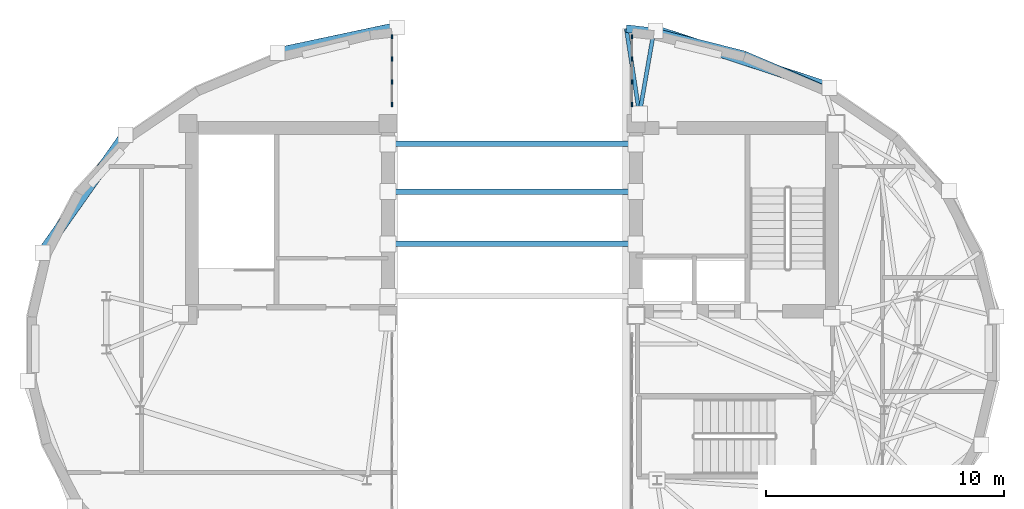
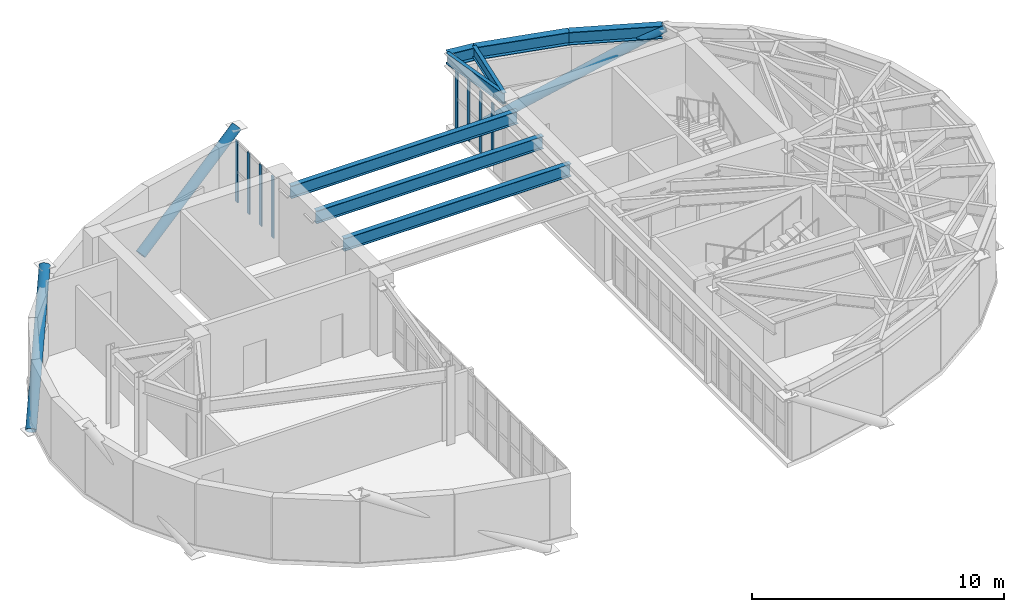
# One storey, part 4 of 13: 11 members, 8 beams, 2 elements without a shape of their own.
"""IFC4 building model written with IfcOpenShell, lengths in metres."""

from ifc_helpers import new_model, si_unit, direction, frame, origin, origin_2d, place, context, subcontext, project, spatial, rectangle, hollow_circle, i_section, extrude, material, layer, layer_set, material_profile, profile_set, type_object, element, aggregate, save


model = new_model("IFC4")

# Units and contexts
model_context = context("Model", 3, precision=1e-05, world=origin(), true_north=direction((0.0, 1.0)))
body_context = subcontext(model_context, "Body", "Model", "MODEL_VIEW")
ifc_project = project(units=[si_unit("LENGTHUNIT", "METRE"), si_unit("AREAUNIT", "SQUARE_METRE"), si_unit("VOLUMEUNIT", "CUBIC_METRE"), si_unit("PLANEANGLEUNIT", "RADIAN"), si_unit("MASSUNIT", "GRAM", prefix="KILO")], contexts=[model_context])

# Site, building, storey
site_placement = place(None, origin())
site = spatial("IfcSite", under=ifc_project, at=site_placement, CompositionType="ELEMENT")
building_placement = place(site_placement, origin())
building = spatial("IfcBuilding", under=site, at=building_placement, Name="Keldmark Tower", CompositionType="ELEMENT")
storey_placement = place(building_placement, frame((0.0, 0.0, 280.60009765625)))
storey = spatial("IfcBuildingStorey", under=building, at=storey_placement, Name="L79", CompositionType="ELEMENT", Elevation=280.60009765625)

# Members
ifc_material_1 = material(Name="Steel ASTM A572 Grade 50", Category="steel")
ifc_material_profile_1 = material_profile(ifc_material_1, hollow_circle(Radius=0.22509765625, WallThickness=0.02197265625, at=origin_2d()), Name="CHS450X22")
ifc_profile_set_1 = profile_set([ifc_material_profile_1], Name="Steel ASTM A572 Grade 50")
member_type_1 = type_object("IfcMemberType", Name="Crown Frame Brace CHS450X22", PredefinedType="USERDEFINED", material=ifc_profile_set_1)
member_1_placement = place(storey_placement, frame((6.023681640625, 13.351318359375, -0.4501953125), z_axis=(0.851851250396, -0.279319759019, 0.443091321762), x_axis=(0.311575111015, 0.950221526906, 0.0)))
element("IfcMember", 1, at=member_1_placement, inside=storey, type_object=member_type_1, Name="L79 Crown Frame Diagonal E00", ObjectType="CROWN FRAME", PredefinedType="USERDEFINED", context=body_context, shape_type="SweptSolid", body=[
    extrude(hollow_circle(Radius=0.22509765625, WallThickness=0.02197265625, at=origin_2d()), origin(), (0.0, 0.0, 1.0), 8.576171875),
])
member_2_placement = place(storey_placement, frame((-19.7099609375, 4.032958984375, -0.4501953125), z_axis=(0.487772662489, 0.692451388598, 0.531590918053), x_axis=(-0.817532912792, 0.575881877213, 0.0)))
element("IfcMember", 2, at=member_2_placement, inside=storey, type_object=member_type_1, Name="L79 Crown Frame Diagonal W08", ObjectType="CROWN FRAME", PredefinedType="USERDEFINED", context=body_context, shape_type="SweptSolid", body=[
    extrude(hollow_circle(Radius=0.22509765625, WallThickness=0.02197265625, at=origin_2d()), origin(), (0.0, 0.0, 1.0), 7.1484375),
])
member_3_placement = place(storey_placement, frame((-9.84619140625, 12.416015625, -0.4501953125), z_axis=(0.785744947887, 0.167021022524, 0.59557439074), x_axis=(-0.207918572776, 0.978146137903, 0.0)))
element("IfcMember", 3, at=member_3_placement, inside=storey, type_object=member_type_1, Name="L79 Crown Frame Diagonal W12", ObjectType="CROWN FRAME", PredefinedType="USERDEFINED", context=body_context, shape_type="SweptSolid", body=[
    extrude(hollow_circle(Radius=0.22509765625, WallThickness=0.02197265625, at=origin_2d()), origin(), (0.0, 0.0, 1.0), 6.38037109375),
])

# Curtain wall, members
ifc_material_2 = material(Name="Unitized Thermally Broken Aluminum and Triple Low-E Glazing", Category="aluminium")
ifc_layer = layer(ifc_material_2, 0.219970703125)
ifc_layer_set = layer_set([ifc_layer], Name="Unitized Thermally Broken Aluminum and Triple Low-E Glazing")
curtain_wall_type = type_object("IfcCurtainWallType", Name="Split-Top Crown Lantern Curtain Wall System", PredefinedType="NOTDEFINED", material=ifc_layer_set)
curtain_wall_1_placement = place(storey_placement, origin())
curtain_wall_1 = element("IfcCurtainWall", 4, at=curtain_wall_1_placement, inside=storey, type_object=curtain_wall_type, Name="L79 Split-Top Crown Lantern Curtain Wall System CW-L79-ES14-0", PredefinedType="NOTDEFINED")
ifc_material_3 = material(Name="Extruded Aluminum Alloy 6063-T6", Category="aluminium")
ifc_material_profile_2 = material_profile(ifc_material_3, rectangle(XDim=0.06005859375, YDim=0.179931640625, at=origin_2d()), Name="CWM60X180")
ifc_profile_set_2 = profile_set([ifc_material_profile_2], Name="Extruded Aluminum Alloy 6063-T6")
member_type_2 = type_object("IfcMemberType", Name="Curtain Wall Structural Mullion 60x180", PredefinedType="MULLION", material=ifc_profile_set_2)
member_4_placement = place(storey_placement, frame((5.0400390625, 13.0947265625, 0.0), z_axis=(0.0, 0.0, 1.0), x_axis=(1.0, 0.0, 0.0)))
member_4 = element("IfcMember", 5, at=member_4_placement, type_object=member_type_2, Name="CW mullion 1", PredefinedType="MULLION", context=body_context, shape_type="SweptSolid", body=[
    extrude(rectangle(XDim=0.06005859375, YDim=0.179931640625, at=origin_2d()), origin(), (0.0, 0.0, 1.0), 2.9658203125),
])
member_5_placement = place(storey_placement, frame((5.0400390625, 12.159423828125, 0.0), z_axis=(0.0, 0.0, 1.0), x_axis=(1.0, 0.0, 0.0)))
member_5 = element("IfcMember", 6, at=member_5_placement, type_object=member_type_2, Name="CW mullion 2", PredefinedType="MULLION", context=body_context, shape_type="SweptSolid", body=[
    extrude(rectangle(XDim=0.06005859375, YDim=0.179931640625, at=origin_2d()), origin(), (0.0, 0.0, 1.0), 2.9658203125),
])
member_6_placement = place(storey_placement, frame((5.0400390625, 11.19384765625, 0.0), z_axis=(0.0, 0.0, 1.0), x_axis=(1.0, 0.0, 0.0)))
member_6 = element("IfcMember", 7, at=member_6_placement, type_object=member_type_2, Name="CW mullion 3", PredefinedType="MULLION", context=body_context, shape_type="SweptSolid", body=[
    extrude(rectangle(XDim=0.06005859375, YDim=0.179931640625, at=origin_2d()), origin(), (0.0, 0.0, 1.0), 2.9658203125),
])
member_7_placement = place(storey_placement, frame((5.0400390625, 10.258544921875, 0.0), z_axis=(0.0, 0.0, 1.0), x_axis=(1.0, 0.0, 0.0)))
member_7 = element("IfcMember", 8, at=member_7_placement, type_object=member_type_2, Name="CW mullion 4", PredefinedType="MULLION", context=body_context, shape_type="SweptSolid", body=[
    extrude(rectangle(XDim=0.06005859375, YDim=0.179931640625, at=origin_2d()), origin(), (0.0, 0.0, 1.0), 2.9658203125),
])
aggregate(curtain_wall_1, [member_4, member_5, member_6, member_7])

curtain_wall_2_placement = place(storey_placement, origin())
curtain_wall_2 = element("IfcCurtainWall", 9, at=curtain_wall_2_placement, inside=storey, type_object=curtain_wall_type, Name="L79 Split-Top Crown Lantern Curtain Wall System CW-L79-WS14-1", PredefinedType="NOTDEFINED")
member_8_placement = place(storey_placement, frame((-5.0400390625, 10.258544921875, 0.0), z_axis=(0.0, 0.0, 1.0), x_axis=(-1.0, 0.0, 0.0)))
member_8 = element("IfcMember", 10, at=member_8_placement, type_object=member_type_2, Name="CW mullion 1", PredefinedType="MULLION", context=body_context, shape_type="SweptSolid", body=[
    extrude(rectangle(XDim=0.06005859375, YDim=0.179931640625, at=origin_2d()), origin(), (0.0, 0.0, 1.0), 2.9658203125),
])
member_9_placement = place(storey_placement, frame((-5.0400390625, 11.19384765625, 0.0), z_axis=(0.0, 0.0, 1.0), x_axis=(-1.0, 0.0, 0.0)))
member_9 = element("IfcMember", 11, at=member_9_placement, type_object=member_type_2, Name="CW mullion 2", PredefinedType="MULLION", context=body_context, shape_type="SweptSolid", body=[
    extrude(rectangle(XDim=0.06005859375, YDim=0.179931640625, at=origin_2d()), origin(), (0.0, 0.0, 1.0), 2.9658203125),
])
member_10_placement = place(storey_placement, frame((-5.0400390625, 12.159423828125, 0.0), z_axis=(0.0, 0.0, 1.0), x_axis=(-1.0, 0.0, 0.0)))
member_10 = element("IfcMember", 12, at=member_10_placement, type_object=member_type_2, Name="CW mullion 3", PredefinedType="MULLION", context=body_context, shape_type="SweptSolid", body=[
    extrude(rectangle(XDim=0.06005859375, YDim=0.179931640625, at=origin_2d()), origin(), (0.0, 0.0, 1.0), 2.9658203125),
])
member_11_placement = place(storey_placement, frame((-5.0400390625, 13.0947265625, 0.0), z_axis=(0.0, 0.0, 1.0), x_axis=(-1.0, 0.0, 0.0)))
member_11 = element("IfcMember", 13, at=member_11_placement, type_object=member_type_2, Name="CW mullion 4", PredefinedType="MULLION", context=body_context, shape_type="SweptSolid", body=[
    extrude(rectangle(XDim=0.06005859375, YDim=0.179931640625, at=origin_2d()), origin(), (0.0, 0.0, 1.0), 2.9658203125),
])
aggregate(curtain_wall_2, [member_8, member_9, member_10, member_11])

# Beams
ifc_material_4 = material(Name="Steel ASTM A992 Grade 50", Category="steel")
ifc_material_profile_3 = material_profile(ifc_material_4, i_section(OverallWidth=0.22900390625, OverallDepth=0.612060546875, WebThickness=0.011962890625, FlangeThickness=0.01953125, at=origin_2d()), Name="W24X84")
ifc_profile_set_3 = profile_set([ifc_material_profile_3], Name="Steel ASTM A992 Grade 50")
beam_type_1 = type_object("IfcBeamType", Name="Primary Floor Girder W24X84", PredefinedType="BEAM", material=ifc_profile_set_3)
for number, where, z_axis, x_axis, name in (
    (14, (-5.199951171875, 4.39990234375, 3.2939453125), (1.0, 0.0, 0.0), (0.0, 1.0, 0.0), "L79 Sky-Slot Roof Support Girder SLTB-02"),
    (15, (-5.199951171875, 6.60009765625, 3.2939453125), (1.0, 0.0, 0.0), (0.0, 1.0, 0.0), "L79 Sky-Slot Roof Support Girder SLTB-03"),
    (16, (-5.199951171875, 8.60009765625, 3.2939453125), (1.0, 0.0, 0.0), (0.0, 1.0, 0.0), "L79 Sky-Slot Roof Support Girder SLTB-04"),
):
    element("IfcBeam", number, at=place(storey_placement, frame(where, z_axis=z_axis, x_axis=x_axis)), inside=storey, type_object=beam_type_1, Name=name, PredefinedType="BEAM", context=body_context, shape_type="SweptSolid", body=[
        extrude(i_section(OverallWidth=0.22900390625, OverallDepth=0.612060546875, WebThickness=0.011962890625, FlangeThickness=0.01953125, at=origin_2d()), origin(), (0.0, 0.0, 1.0), 10.39990234375),
    ])
ifc_material_5 = material(Name="Steel ASTM A992 Grade 50", Category="steel")
ifc_material_profile_4 = material_profile(ifc_material_5, i_section(OverallWidth=0.166015625, OverallDepth=0.529052734375, WebThickness=0.009765625, FlangeThickness=0.013671875, at=origin_2d()), Name="W21X50")
ifc_profile_set_4 = profile_set([ifc_material_profile_4], Name="Steel ASTM A992 Grade 50")
beam_type_2 = type_object("IfcBeamType", Name="Radial Tie Girder W21X50", PredefinedType="BEAM", material=ifc_profile_set_4)
beam_1_placement = place(storey_placement, frame((5.35009765625, 9.85009765625, 3.33544921875), z_axis=(0.171235420853, 0.985230140955, 0.0), x_axis=(-0.985230140955, 0.171235420853, 0.0)))
element("IfcBeam", 17, at=beam_1_placement, inside=storey, type_object=beam_type_2, Name="L79 East Crown Shear-Wall Bracket CRT-E01G", PredefinedType="BEAM", context=body_context, shape_type="SweptSolid", body=[
    extrude(i_section(OverallWidth=0.166015625, OverallDepth=0.529052734375, WebThickness=0.009765625, FlangeThickness=0.013671875, at=origin_2d()), origin(), (0.0, 0.0, 1.0), 3.50732421875),
])
beam_2_placement = place(storey_placement, frame((5.35009765625, 9.85009765625, 3.33544921875), z_axis=(-0.151466089222, 0.988462454429, 0.0), x_axis=(-0.988462454429, -0.151466089222, 0.0)))
element("IfcBeam", 18, at=beam_2_placement, inside=storey, type_object=beam_type_2, Name="L79 East Crown Shear-Wall Bracket CRT-E16G", PredefinedType="BEAM", context=body_context, shape_type="SweptSolid", body=[
    extrude(i_section(OverallWidth=0.166015625, OverallDepth=0.529052734375, WebThickness=0.009765625, FlangeThickness=0.013671875, at=origin_2d()), origin(), (0.0, 0.0, 1.0), 3.631591796875),
])
ifc_material_6 = material(Name="Steel ASTM A992 Grade 50", Category="steel")
ifc_material_profile_5 = material_profile(ifc_material_6, i_section(OverallWidth=0.326904296875, OverallDepth=0.6220703125, WebThickness=0.015380859375, FlangeThickness=0.0244140625, at=origin_2d()), Name="W24X131")
ifc_profile_set_5 = profile_set([ifc_material_profile_5], Name="Steel ASTM A992 Grade 50")
beam_type_3 = type_object("IfcBeamType", Name="Spandrel Ring Beam W24X131", PredefinedType="SPANDREL", material=ifc_profile_set_5)
beam_3_placement = place(storey_placement, frame((5.95068359375, 13.3056640625, 3.288818359375), z_axis=(0.969008066435, -0.247029081655, 0.0), x_axis=(0.247029081655, 0.969008066435, 0.0)))
element("IfcBeam", 19, at=beam_3_placement, inside=storey, type_object=beam_type_3, Name="L79 Crown Spandrel Ring Beam CRB-E01", PredefinedType="SPANDREL", context=body_context, shape_type="SweptSolid", body=[
    extrude(i_section(OverallWidth=0.326904296875, OverallDepth=0.6220703125, WebThickness=0.015380859375, FlangeThickness=0.0244140625, at=origin_2d()), origin(), (0.0, 0.0, 1.0), 3.89697265625),
])
beam_4_placement = place(storey_placement, frame((9.726806640625, 12.343017578125, 3.288818359375), z_axis=(0.919249906296, -0.393674497237, 0.0), x_axis=(0.393674497237, 0.919249906296, 0.0)))
element("IfcBeam", 20, at=beam_4_placement, inside=storey, type_object=beam_type_3, Name="L79 Crown Spandrel Ring Beam CRB-E02", PredefinedType="SPANDREL", context=body_context, shape_type="SweptSolid", body=[
    extrude(i_section(OverallWidth=0.326904296875, OverallDepth=0.6220703125, WebThickness=0.015380859375, FlangeThickness=0.0244140625, at=origin_2d()), origin(), (0.0, 0.0, 1.0), 3.7314453125),
])
beam_5_placement = place(storey_placement, frame((4.800048828125, 13.439697265625, 3.288818359375), z_axis=(0.993283742489, -0.115703962365, 0.0), x_axis=(0.115703962365, 0.993283742489, 0.0)))
element("IfcBeam", 21, at=beam_5_placement, inside=storey, type_object=beam_type_3, Name="L79 Crown Spandrel Ring Beam CRB-E16", PredefinedType="SPANDREL", context=body_context, shape_type="SweptSolid", body=[
    extrude(i_section(OverallWidth=0.326904296875, OverallDepth=0.6220703125, WebThickness=0.015380859375, FlangeThickness=0.0244140625, at=origin_2d()), origin(), (0.0, 0.0, 1.0), 1.158447265625),
])

save(model, "model.ifc")
